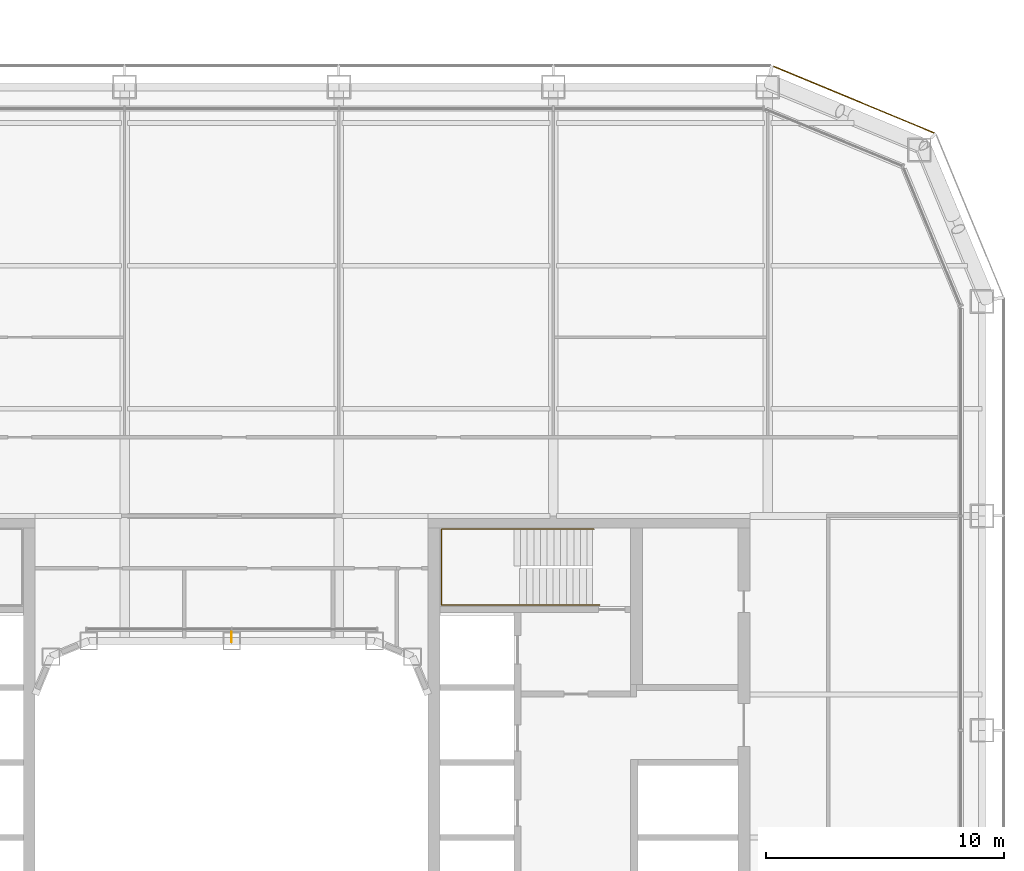
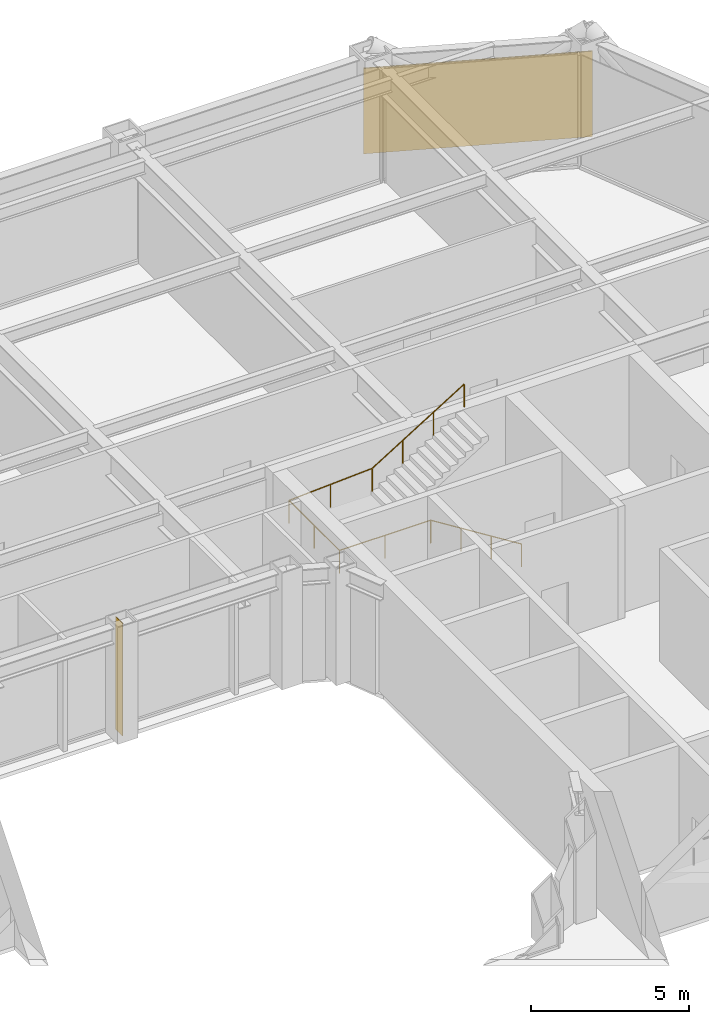
# One storey, part 26 of 28: 1 covering, 1 railing, 1 shading device.
"""IFC4 building model written with IfcOpenShell, lengths in metres."""

import ifcopenshell
import ifcopenshell.guid

model = None  # the IFC model being written
_history = None  # IfcOwnerHistory: only IFC2X3 demands one
_inside = {}  # id of a spatial element -> (the spatial element, [elements in it])
_under = {}  # id of a project, library or spatial element -> (it, [spatial elements below it])
_declared = {}  # id of a project -> (the project, [libraries it declares])
_typed = {}  # id of a type object -> (the type object, [elements of that type])
_made_of = {}  # id of a material, layer set ... -> (it, [elements and type objects made of it])


def new_model(schema):
    """Start an empty IFC model of exactly this schema.

    Asked for "IFC4X3", IfcOpenShell would pick the latest addendum, in which some entities
    have other attributes; the version numbers below select the first issue.
    IFC2X3 requires an IfcOwnerHistory on every rooted entity: one is made here for all.
    """
    global model, _history
    if schema == "IFC4X3":
        model = ifcopenshell.file(schema_version=(4, 3, 0, 0))
    else:
        model = ifcopenshell.file(schema=schema)
    _inside.clear()
    _under.clear()
    _declared.clear()
    _typed.clear()
    _made_of.clear()
    _history = None
    if model.schema == "IFC2X3":
        org = make("IfcOrganization", Name="unknown")
        user = make(
            "IfcPersonAndOrganization",
            ThePerson=make("IfcPerson", FamilyName="unknown"),
            TheOrganization=org,
        )
        app = make(
            "IfcApplication",
            ApplicationDeveloper=org,
            Version="unknown",
            ApplicationFullName="unknown",
            ApplicationIdentifier="unknown",
        )
        _history = make(
            "IfcOwnerHistory",
            OwningUser=user,
            OwningApplication=app,
            ChangeAction="ADDED",
            CreationDate=0,
        )
    return model


def make(cls, **values):
    """One entity of the class cls with the attributes given. An attribute that is None is left unset."""
    return model.create_entity(
        cls, **{name: value for name, value in values.items() if value is not None}
    )


def rooted(cls, **values):
    """An entity with a GlobalId (a new one), such as an element, a storey or a relation."""
    return make(cls, GlobalId=ifcopenshell.guid.new(), OwnerHistory=_history, **values)


def si_unit(unit_type, name, prefix=None):
    """IfcSIUnit, for example si_unit("LENGTHUNIT", "METRE", prefix="MILLI")."""
    return make("IfcSIUnit", UnitType=unit_type, Prefix=prefix, Name=name)


def assignment(units):
    """IfcUnitAssignment: the units of a project."""
    return None if units is None else make("IfcUnitAssignment", Units=units)


def point(xyz):
    """IfcCartesianPoint."""
    return None if xyz is None else make("IfcCartesianPoint", Coordinates=xyz)


def direction(xyz):
    """IfcDirection."""
    return None if xyz is None else make("IfcDirection", DirectionRatios=xyz)


def frame(location, z_axis=None, x_axis=None):
    """IfcAxis2Placement3D, a coordinate frame: its origin and axes. An axis left out is left unset."""
    return make(
        "IfcAxis2Placement3D",
        Location=point(location),
        Axis=direction(z_axis),
        RefDirection=direction(x_axis),
    )


def frame_2d(location, x_axis=None):
    """IfcAxis2Placement2D, a coordinate frame in the plane: its origin and x axis."""
    return make(
        "IfcAxis2Placement2D", Location=point(location), RefDirection=direction(x_axis)
    )


def origin():
    """The frame at (0, 0, 0) with its axes left unset."""
    return frame((0.0, 0.0, 0.0))


def origin_2d():
    """The frame at (0, 0) in the plane with its x axis left unset."""
    return frame_2d((0.0, 0.0))


def place(relative_to, where):
    """IfcLocalPlacement: puts the frame where relative to a parent placement (None: the world)."""
    return make(
        "IfcLocalPlacement", PlacementRelTo=relative_to, RelativePlacement=where
    )


def context(
    kind, dimensions, precision=None, world=None, true_north=None, identifier=None
):
    """IfcGeometricRepresentationContext, for example the 3D "Model" context."""
    return make(
        "IfcGeometricRepresentationContext",
        ContextIdentifier=identifier,
        ContextType=kind,
        CoordinateSpaceDimension=dimensions,
        Precision=precision,
        WorldCoordinateSystem=world,
        TrueNorth=true_north,
    )


def subcontext(parent, identifier, kind, view, scale=None):
    """IfcGeometricRepresentationSubContext, for example "Body" below "Model"."""
    return make(
        "IfcGeometricRepresentationSubContext",
        ContextIdentifier=identifier,
        ContextType=kind,
        ParentContext=parent,
        TargetScale=scale,
        TargetView=view,
    )


def project(units=None, contexts=None):
    """IfcProject with its units and contexts."""
    return rooted(
        "IfcProject",
        Name="project",
        RepresentationContexts=contexts,
        UnitsInContext=assignment(units),
    )


def spatial(cls, under=None, at=None, **own):
    """A site, building, storey or space (cls), placed at a placement, below another one or the project."""
    s = rooted(cls, ObjectPlacement=at, **own)
    if under is not None:
        _under.setdefault(under.id(), (under, []))[1].append(s)
    return s


def profile(cls, at=None, kind="AREA", **sizes):
    """A parametric profile (cls). Its sizes go by their IFC names, for example OverallWidth=200.0."""
    return make(cls, ProfileType=kind, Position=at, **sizes)


def rectangle(**sizes):
    """IfcRectangleProfileDef."""
    return profile("IfcRectangleProfileDef", **sizes)


def circle(**sizes):
    """IfcCircleProfileDef."""
    return profile("IfcCircleProfileDef", **sizes)


def extrude(swept, where, along, depth):
    """IfcExtrudedAreaSolid: the profile swept, set in the frame where, extruded along a direction by depth."""
    return make(
        "IfcExtrudedAreaSolid",
        SweptArea=swept,
        Position=where,
        ExtrudedDirection=direction(along),
        Depth=depth,
    )


def shape(context_of_items, identifier, shape_type, items):
    """IfcShapeRepresentation: the items that make up one representation, for example the "Body"."""
    return make(
        "IfcShapeRepresentation",
        ContextOfItems=context_of_items,
        RepresentationIdentifier=identifier,
        RepresentationType=shape_type,
        Items=items,
    )


def material(Name=None, Category=None):
    """IfcMaterial."""
    return make("IfcMaterial", Name=Name, Category=Category)


def layer(
    of_material, thickness, ventilated=None, Name=None, Category=None, Priority=None
):
    """IfcMaterialLayer: one layer of a wall or slab, of a material (None: an air gap)."""
    return make(
        "IfcMaterialLayer",
        Material=of_material,
        LayerThickness=thickness,
        IsVentilated=ventilated,
        Name=Name,
        Category=Category,
        Priority=Priority,
    )


def layer_set(layers, Name=None):
    """IfcMaterialLayerSet."""
    return make("IfcMaterialLayerSet", MaterialLayers=layers, LayerSetName=Name)


def made_of(thing, what):
    """Note that an element or type object is made of a material, layer set ...; save() writes the relation."""
    if what is not None:
        _made_of.setdefault(what.id(), (what, []))[1].append(thing)
    return thing


def type_object(cls, material=None, **own):
    """A type object (cls), such as IfcWallType, which elements share."""
    return made_of(rooted(cls, **own), material)


def element(
    cls,
    number,
    at=None,
    inside=None,
    cuts=None,
    type_object=None,
    material=None,
    context=None,
    identifier="Body",
    shape_type=None,
    held_by="IfcProductDefinitionShape",
    body=None,
    shapes=None,
    **own,
):
    """One element of the class cls, such as IfcWall. Its Tag is "e" and its number.

    at: its placement. inside: the storey or other place that contains it. cuts: it is an
    opening in that element (IfcRelVoidsElement). A single representation is given by context,
    identifier, shape_type and body (its items); several are given by shapes. held_by: the class
    of the entity that holds the representations. save() writes the other relations.
    """
    e = rooted(cls, Tag="e%d" % number, ObjectPlacement=at, **own)
    if body is not None:
        shapes = [shape(context, identifier, shape_type, body)]
    if shapes is not None:
        e.Representation = make(held_by, Representations=shapes)
    if inside is not None:
        _inside.setdefault(inside.id(), (inside, []))[1].append(e)
    if cuts is not None:
        rooted(
            "IfcRelVoidsElement", RelatingBuildingElement=cuts, RelatedOpeningElement=e
        )
    if type_object is not None:
        _typed.setdefault(type_object.id(), (type_object, []))[1].append(e)
    return made_of(e, material)


def aggregate(whole, parts):
    """IfcRelAggregates: a whole, such as a stair, and the parts it consists of."""
    return rooted("IfcRelAggregates", RelatingObject=whole, RelatedObjects=parts)


def save(model, path):
    """Write the relations noted so far, then the file.

    IfcRelAggregates (storeys below a building ...), IfcRelContainedInSpatialStructure (elements
    in a storey), IfcRelDefinesByType, IfcRelAssociatesMaterial and IfcRelDeclares: one each for
    every whole, place, type object, material and project.
    """
    for whole, parts in _under.values():
        aggregate(whole, parts)
    for where, things in _inside.values():
        rooted(
            "IfcRelContainedInSpatialStructure",
            RelatedElements=things,
            RelatingStructure=where,
        )
    for kind, things in _typed.values():
        rooted("IfcRelDefinesByType", RelatedObjects=things, RelatingType=kind)
    for what, things in _made_of.values():
        rooted("IfcRelAssociatesMaterial", RelatedObjects=things, RelatingMaterial=what)
    for by, libraries in _declared.values():
        rooted("IfcRelDeclares", RelatingContext=by, RelatedDefinitions=libraries)
    model.write(path)


model = new_model("IFC4")

# Units and contexts
model_context = context("Model", 3, precision=1e-05, world=origin(), true_north=direction((0.0, 1.0)))
body_context = subcontext(model_context, "Body", "Model", "MODEL_VIEW")
ifc_project = project(units=[si_unit("LENGTHUNIT", "METRE"), si_unit("AREAUNIT", "SQUARE_METRE"), si_unit("VOLUMEUNIT", "CUBIC_METRE"), si_unit("PLANEANGLEUNIT", "RADIAN"), si_unit("MASSUNIT", "GRAM", prefix="KILO")], contexts=[model_context])

# Site, building, storey
site_placement = place(None, origin())
site = spatial("IfcSite", under=ifc_project, at=site_placement, CompositionType="ELEMENT")
building_placement = place(site_placement, origin())
building = spatial("IfcBuilding", under=site, at=building_placement, Name="Siwar Civic Tower", CompositionType="ELEMENT")
storey_placement = place(building_placement, frame((0.0, 0.0, 85.199951171875)))
storey = spatial("IfcBuildingStorey", under=building, at=storey_placement, Name="L18", CompositionType="ELEMENT", Elevation=85.199951171875)

# Railing
ifc_material_1 = material(Name="Stainless steel", Category="steel")
railing_type = type_object("IfcRailingType", Name="CORE-STAIR-HANDRAIL", PredefinedType="HANDRAIL", material=ifc_material_1)
railing_placement = place(storey_placement, frame((15.449951171875, 9.758056640625, 0.173095703125)))
element("IfcRailing", 1, at=railing_placement, inside=storey, type_object=railing_type, Name="Stair handrail ST3", PredefinedType="HANDRAIL", context=body_context, shape_type="SweptSolid", body=[
    extrude(circle(Radius=0.02001953125, at=origin_2d()), frame((0.0, 0.0, 0.8798828125), z_axis=(-0.847063342986, 0.0, 0.531491950051), x_axis=(0.0, -1.0, 0.0)), (0.0, 0.0, 1.0), 3.90771484375),
    extrude(circle(Radius=0.02001953125, at=origin_2d()), frame((-3.31005859375, 0.0, 2.956787109375), z_axis=(-1.0, 0.0, 0.0), x_axis=(0.0, -1.0, 0.0)), (0.0, 0.0, 1.0), 3.331787109375),
    extrude(circle(Radius=0.02001953125, at=origin_2d()), frame((-6.641845703125, 0.0, 2.956787109375), z_axis=(0.0, 1.0, 0.0), x_axis=(-1.0, 0.0, 0.0)), (0.0, 0.0, 1.0), 3.183837890625),
    extrude(circle(Radius=0.02001953125, at=origin_2d()), frame((-6.641845703125, 3.183837890625, 2.956787109375), z_axis=(0.99837434197, 0.0, 0.056997134106), x_axis=(0.0, 1.0, 0.0)), (0.0, 0.0, 1.0), 3.036865234375),
    extrude(circle(Radius=0.02001953125, at=origin_2d()), frame((-3.60986328125, 3.183837890625, 3.1298828125), z_axis=(0.850606129759, 0.0, 0.525803396734), x_axis=(0.0, 1.0, 0.0)), (0.0, 0.0, 1.0), 3.949951171875),
    extrude(circle(Radius=0.02001953125, at=origin_2d()), origin(), (0.0, 0.0, 1.0), 0.85986328125),
    extrude(circle(Radius=0.02001953125, at=origin_2d()), frame((-1.103271484375, 0.0, 0.6923828125)), (0.0, 0.0, 1.0), 0.85986328125),
    extrude(circle(Radius=0.02001953125, at=origin_2d()), frame((-2.206787109375, 0.0, 1.384521484375)), (0.0, 0.0, 1.0), 0.85986328125),
    extrude(circle(Radius=0.02001953125, at=origin_2d()), frame((-3.31005859375, 0.0, 2.076904296875)), (0.0, 0.0, 1.0), 0.85986328125),
    extrude(circle(Radius=0.02001953125, at=origin_2d()), frame((-4.97607421875, 0.0, 2.076904296875)), (0.0, 0.0, 1.0), 0.85986328125),
    extrude(circle(Radius=0.02001953125, at=origin_2d()), frame((-6.641845703125, 0.0, 2.076904296875)), (0.0, 0.0, 1.0), 0.85986328125),
    extrude(circle(Radius=0.02001953125, at=origin_2d()), frame((-6.641845703125, 1.591796875, 2.076904296875)), (0.0, 0.0, 1.0), 0.85986328125),
    extrude(circle(Radius=0.02001953125, at=origin_2d()), frame((-6.641845703125, 3.183837890625, 2.076904296875)), (0.0, 0.0, 1.0), 0.85986328125),
    extrude(circle(Radius=0.02001953125, at=origin_2d()), frame((-5.1259765625, 3.183837890625, 2.16357421875)), (0.0, 0.0, 1.0), 0.85986328125),
    extrude(circle(Radius=0.02001953125, at=origin_2d()), frame((-3.60986328125, 3.183837890625, 2.25)), (0.0, 0.0, 1.0), 0.85986328125),
    extrude(circle(Radius=0.02001953125, at=origin_2d()), frame((-2.489990234375, 3.183837890625, 2.9423828125)), (0.0, 0.0, 1.0), 0.85986328125),
    extrude(circle(Radius=0.02001953125, at=origin_2d()), frame((-1.369873046875, 3.183837890625, 3.634521484375)), (0.0, 0.0, 1.0), 0.85986328125),
    extrude(circle(Radius=0.02001953125, at=origin_2d()), frame((-0.25, 3.183837890625, 4.326904296875)), (0.0, 0.0, 1.0), 0.85986328125),
])

# Shading device
ifc_material_2 = material(Name="Aluminium 6063-T6", Category="aluminium")
ifc_layer_1 = layer(ifc_material_2, 0.02001953125)
ifc_layer_set_1 = layer_set([ifc_layer_1], Name="Aluminium 6063-T6")
shading_device_type = type_object("IfcShadingDeviceType", Name="ENV-FIN", PredefinedType="JALOUSIE", material=ifc_layer_set_1)
shading_device_placement = place(storey_placement, frame((0.0, 8.419921875, 0.0), z_axis=(0.0, 0.0, 1.0), x_axis=(-1.0, 0.0, 0.0)))
element("IfcShadingDevice", 2, at=shading_device_placement, inside=storey, type_object=shading_device_type, Name="SUNSHADE fin WN 1", PredefinedType="JALOUSIE", context=body_context, shape_type="SweptSolid", body=[
    extrude(rectangle(XDim=0.02001953125, YDim=0.449951171875, at=origin_2d()), origin(), (0.0, 0.0, 1.0), 4.35009765625),
])

# Covering
ifc_material_3 = material(Name="Perforated aluminium cassette, pale metal", Category="aluminium")
ifc_layer_2 = layer(ifc_material_3, 0.0400390625)
ifc_layer_set_2 = layer_set([ifc_layer_2], Name="Perforated aluminium cassette, pale metal")
covering_type = type_object("IfcCoveringType", Name="ENV-OUTER SKIN OS-1", PredefinedType="CLADDING", material=ifc_layer_set_2)
covering_placement = place(storey_placement, frame((26.115966796875, 30.976318359375, -0.14990234375), z_axis=(0.0, 0.0, 1.0), x_axis=(-0.923879532511, 0.382683432365, 0.0)))
element("IfcCovering", 3, at=covering_placement, inside=storey, type_object=covering_type, Name="OUTER SKIN OS-1 NE2 1", PredefinedType="CLADDING", context=body_context, shape_type="SweptSolid", body=[
    extrude(rectangle(XDim=7.300048828125, YDim=0.0400390625, at=origin_2d()), origin(), (0.0, 0.0, 1.0), 3.300048828125),
])

save(model, "model.ifc")
